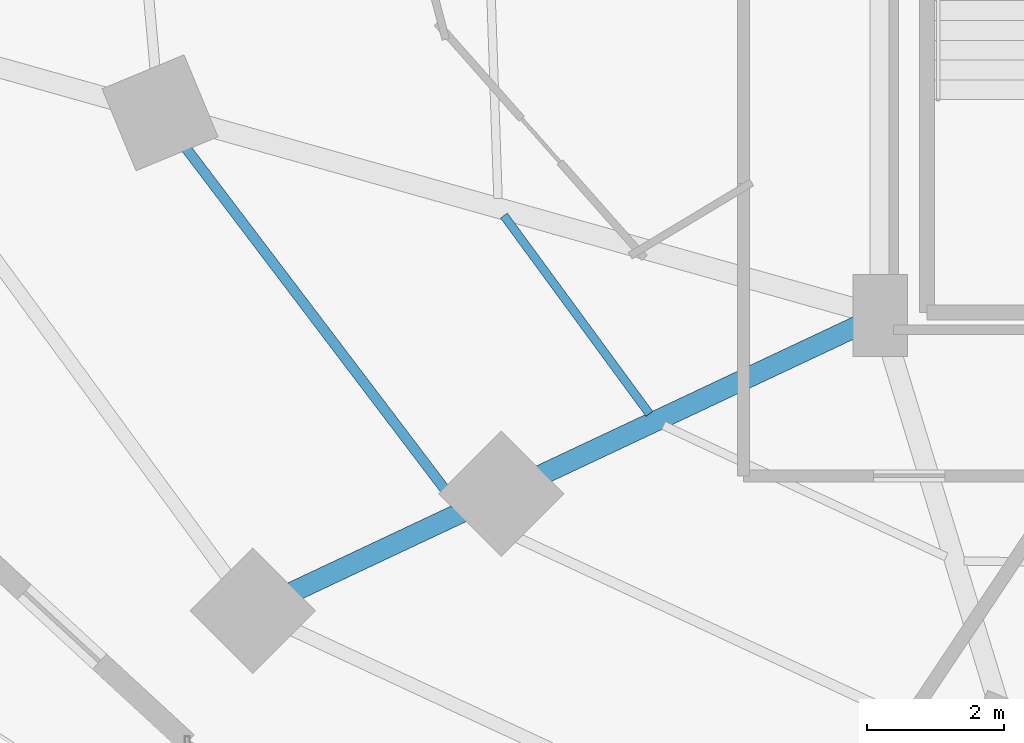
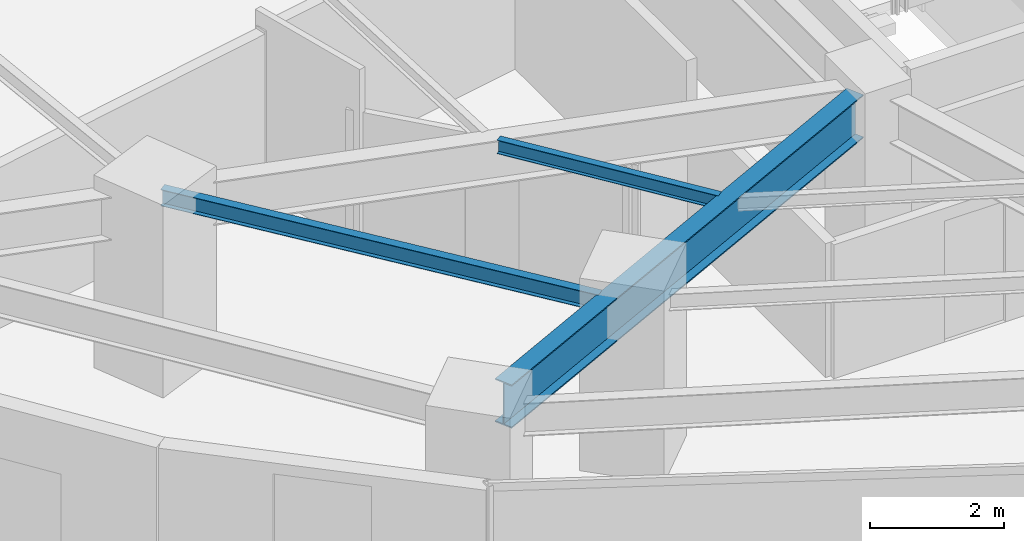
# One storey, part 4 of 30: 3 beams.
"""IFC4 building model written with IfcOpenShell, lengths in metres."""

import ifcopenshell
import ifcopenshell.guid

model = None  # the IFC model being written
_history = None  # IfcOwnerHistory: only IFC2X3 demands one
_inside = {}  # id of a spatial element -> (the spatial element, [elements in it])
_under = {}  # id of a project, library or spatial element -> (it, [spatial elements below it])
_declared = {}  # id of a project -> (the project, [libraries it declares])
_typed = {}  # id of a type object -> (the type object, [elements of that type])
_made_of = {}  # id of a material, layer set ... -> (it, [elements and type objects made of it])


def new_model(schema):
    """Start an empty IFC model of exactly this schema.

    Asked for "IFC4X3", IfcOpenShell would pick the latest addendum, in which some entities
    have other attributes; the version numbers below select the first issue.
    IFC2X3 requires an IfcOwnerHistory on every rooted entity: one is made here for all.
    """
    global model, _history
    if schema == "IFC4X3":
        model = ifcopenshell.file(schema_version=(4, 3, 0, 0))
    else:
        model = ifcopenshell.file(schema=schema)
    _inside.clear()
    _under.clear()
    _declared.clear()
    _typed.clear()
    _made_of.clear()
    _history = None
    if model.schema == "IFC2X3":
        org = make("IfcOrganization", Name="unknown")
        user = make(
            "IfcPersonAndOrganization",
            ThePerson=make("IfcPerson", FamilyName="unknown"),
            TheOrganization=org,
        )
        app = make(
            "IfcApplication",
            ApplicationDeveloper=org,
            Version="unknown",
            ApplicationFullName="unknown",
            ApplicationIdentifier="unknown",
        )
        _history = make(
            "IfcOwnerHistory",
            OwningUser=user,
            OwningApplication=app,
            ChangeAction="ADDED",
            CreationDate=0,
        )
    return model


def make(cls, **values):
    """One entity of the class cls with the attributes given. An attribute that is None is left unset."""
    return model.create_entity(
        cls, **{name: value for name, value in values.items() if value is not None}
    )


def rooted(cls, **values):
    """An entity with a GlobalId (a new one), such as an element, a storey or a relation."""
    return make(cls, GlobalId=ifcopenshell.guid.new(), OwnerHistory=_history, **values)


def si_unit(unit_type, name, prefix=None):
    """IfcSIUnit, for example si_unit("LENGTHUNIT", "METRE", prefix="MILLI")."""
    return make("IfcSIUnit", UnitType=unit_type, Prefix=prefix, Name=name)


def assignment(units):
    """IfcUnitAssignment: the units of a project."""
    return None if units is None else make("IfcUnitAssignment", Units=units)


def point(xyz):
    """IfcCartesianPoint."""
    return None if xyz is None else make("IfcCartesianPoint", Coordinates=xyz)


def direction(xyz):
    """IfcDirection."""
    return None if xyz is None else make("IfcDirection", DirectionRatios=xyz)


def frame(location, z_axis=None, x_axis=None):
    """IfcAxis2Placement3D, a coordinate frame: its origin and axes. An axis left out is left unset."""
    return make(
        "IfcAxis2Placement3D",
        Location=point(location),
        Axis=direction(z_axis),
        RefDirection=direction(x_axis),
    )


def frame_2d(location, x_axis=None):
    """IfcAxis2Placement2D, a coordinate frame in the plane: its origin and x axis."""
    return make(
        "IfcAxis2Placement2D", Location=point(location), RefDirection=direction(x_axis)
    )


def origin():
    """The frame at (0, 0, 0) with its axes left unset."""
    return frame((0.0, 0.0, 0.0))


def origin_2d():
    """The frame at (0, 0) in the plane with its x axis left unset."""
    return frame_2d((0.0, 0.0))


def place(relative_to, where):
    """IfcLocalPlacement: puts the frame where relative to a parent placement (None: the world)."""
    return make(
        "IfcLocalPlacement", PlacementRelTo=relative_to, RelativePlacement=where
    )


def context(
    kind, dimensions, precision=None, world=None, true_north=None, identifier=None
):
    """IfcGeometricRepresentationContext, for example the 3D "Model" context."""
    return make(
        "IfcGeometricRepresentationContext",
        ContextIdentifier=identifier,
        ContextType=kind,
        CoordinateSpaceDimension=dimensions,
        Precision=precision,
        WorldCoordinateSystem=world,
        TrueNorth=true_north,
    )


def subcontext(parent, identifier, kind, view, scale=None):
    """IfcGeometricRepresentationSubContext, for example "Body" below "Model"."""
    return make(
        "IfcGeometricRepresentationSubContext",
        ContextIdentifier=identifier,
        ContextType=kind,
        ParentContext=parent,
        TargetScale=scale,
        TargetView=view,
    )


def project(units=None, contexts=None):
    """IfcProject with its units and contexts."""
    return rooted(
        "IfcProject",
        Name="project",
        RepresentationContexts=contexts,
        UnitsInContext=assignment(units),
    )


def spatial(cls, under=None, at=None, **own):
    """A site, building, storey or space (cls), placed at a placement, below another one or the project."""
    s = rooted(cls, ObjectPlacement=at, **own)
    if under is not None:
        _under.setdefault(under.id(), (under, []))[1].append(s)
    return s


def profile(cls, at=None, kind="AREA", **sizes):
    """A parametric profile (cls). Its sizes go by their IFC names, for example OverallWidth=200.0."""
    return make(cls, ProfileType=kind, Position=at, **sizes)


def i_section(**sizes):
    """IfcIShapeProfileDef."""
    return profile("IfcIShapeProfileDef", **sizes)


def extrude(swept, where, along, depth):
    """IfcExtrudedAreaSolid: the profile swept, set in the frame where, extruded along a direction by depth."""
    return make(
        "IfcExtrudedAreaSolid",
        SweptArea=swept,
        Position=where,
        ExtrudedDirection=direction(along),
        Depth=depth,
    )


def shape(context_of_items, identifier, shape_type, items):
    """IfcShapeRepresentation: the items that make up one representation, for example the "Body"."""
    return make(
        "IfcShapeRepresentation",
        ContextOfItems=context_of_items,
        RepresentationIdentifier=identifier,
        RepresentationType=shape_type,
        Items=items,
    )


def material(Name=None, Category=None):
    """IfcMaterial."""
    return make("IfcMaterial", Name=Name, Category=Category)


def material_profile(
    of_material, cross_section, Name=None, Category=None, Priority=None
):
    """IfcMaterialProfile: a cross section and its material."""
    return make(
        "IfcMaterialProfile",
        Name=Name,
        Material=of_material,
        Profile=cross_section,
        Priority=Priority,
        Category=Category,
    )


def profile_set(profiles, Name=None, composite=None):
    """IfcMaterialProfileSet."""
    return make(
        "IfcMaterialProfileSet",
        Name=Name,
        MaterialProfiles=profiles,
        CompositeProfile=composite,
    )


def made_of(thing, what):
    """Note that an element or type object is made of a material, layer set ...; save() writes the relation."""
    if what is not None:
        _made_of.setdefault(what.id(), (what, []))[1].append(thing)
    return thing


def type_object(cls, material=None, **own):
    """A type object (cls), such as IfcWallType, which elements share."""
    return made_of(rooted(cls, **own), material)


def element(
    cls,
    number,
    at=None,
    inside=None,
    cuts=None,
    type_object=None,
    material=None,
    context=None,
    identifier="Body",
    shape_type=None,
    held_by="IfcProductDefinitionShape",
    body=None,
    shapes=None,
    **own,
):
    """One element of the class cls, such as IfcWall. Its Tag is "e" and its number.

    at: its placement. inside: the storey or other place that contains it. cuts: it is an
    opening in that element (IfcRelVoidsElement). A single representation is given by context,
    identifier, shape_type and body (its items); several are given by shapes. held_by: the class
    of the entity that holds the representations. save() writes the other relations.
    """
    e = rooted(cls, Tag="e%d" % number, ObjectPlacement=at, **own)
    if body is not None:
        shapes = [shape(context, identifier, shape_type, body)]
    if shapes is not None:
        e.Representation = make(held_by, Representations=shapes)
    if inside is not None:
        _inside.setdefault(inside.id(), (inside, []))[1].append(e)
    if cuts is not None:
        rooted(
            "IfcRelVoidsElement", RelatingBuildingElement=cuts, RelatedOpeningElement=e
        )
    if type_object is not None:
        _typed.setdefault(type_object.id(), (type_object, []))[1].append(e)
    return made_of(e, material)


def aggregate(whole, parts):
    """IfcRelAggregates: a whole, such as a stair, and the parts it consists of."""
    return rooted("IfcRelAggregates", RelatingObject=whole, RelatedObjects=parts)


def save(model, path):
    """Write the relations noted so far, then the file.

    IfcRelAggregates (storeys below a building ...), IfcRelContainedInSpatialStructure (elements
    in a storey), IfcRelDefinesByType, IfcRelAssociatesMaterial and IfcRelDeclares: one each for
    every whole, place, type object, material and project.
    """
    for whole, parts in _under.values():
        aggregate(whole, parts)
    for where, things in _inside.values():
        rooted(
            "IfcRelContainedInSpatialStructure",
            RelatedElements=things,
            RelatingStructure=where,
        )
    for kind, things in _typed.values():
        rooted("IfcRelDefinesByType", RelatedObjects=things, RelatingType=kind)
    for what, things in _made_of.values():
        rooted("IfcRelAssociatesMaterial", RelatedObjects=things, RelatingMaterial=what)
    for by, libraries in _declared.values():
        rooted("IfcRelDeclares", RelatingContext=by, RelatedDefinitions=libraries)
    model.write(path)


model = new_model("IFC4")

# Units and contexts
model_context = context("Model", 3, precision=1e-05, world=origin(), true_north=direction((0.0, 1.0)))
body_context = subcontext(model_context, "Body", "Model", "MODEL_VIEW")
ifc_project = project(units=[si_unit("LENGTHUNIT", "METRE"), si_unit("AREAUNIT", "SQUARE_METRE"), si_unit("VOLUMEUNIT", "CUBIC_METRE"), si_unit("PLANEANGLEUNIT", "RADIAN"), si_unit("MASSUNIT", "GRAM", prefix="KILO")], contexts=[model_context])

# Site, building, storey
site_placement = place(None, origin())
site = spatial("IfcSite", under=ifc_project, at=site_placement, CompositionType="ELEMENT")
building_placement = place(site_placement, origin())
building = spatial("IfcBuilding", under=site, at=building_placement, Name="Vorneva Point Tower", CompositionType="ELEMENT")
storey_placement = place(building_placement, frame((0.0, 0.0, 41.5)))
storey = spatial("IfcBuildingStorey", under=building, at=storey_placement, Name="L10", CompositionType="ELEMENT", Elevation=41.5)

# Beams
ifc_material = material(Name="Steel S355", Category="steel")
ifc_material_profile_1 = material_profile(ifc_material, i_section(OverallWidth=0.300048828125, OverallDepth=0.7880859375, WebThickness=0.014404296875, FlangeThickness=0.02197265625, at=origin_2d()), Name="80Sh1")
ifc_profile_set_1 = profile_set([ifc_material_profile_1], Name="Steel S355")
beam_type_1 = type_object("IfcBeamType", Name="BM-GRD-80Sh1", PredefinedType="USERDEFINED", material=ifc_profile_set_1)
beam_1_placement = place(storey_placement, frame((18.638427734375, 12.39599609375, 2.845947265625), z_axis=(0.904758409006, 0.425925135831, 0.0), x_axis=(-0.425925135831, 0.904758409006, 0.0)))
element("IfcBeam", 1, at=beam_1_placement, inside=storey, type_object=beam_type_1, Name="L10 Radial Primary Girder 11", ObjectType="GIRDER", PredefinedType="USERDEFINED", context=body_context, shape_type="SweptSolid", body=[
    extrude(i_section(OverallWidth=0.300048828125, OverallDepth=0.7880859375, WebThickness=0.014404296875, FlangeThickness=0.02197265625, at=origin_2d()), origin(), (0.0, 0.0, 1.0), 9.177978515625),
])
ifc_material_profile_2 = material_profile(ifc_material, i_section(OverallWidth=0.1240234375, OverallDepth=0.248046875, WebThickness=0.0048828125, FlangeThickness=0.008056640625, at=origin_2d()), Name="25B1")
ifc_profile_set_2 = profile_set([ifc_material_profile_2], Name="Steel S355")
beam_type_2 = type_object("IfcBeamType", Name="BM-JST-25B1", PredefinedType="JOIST", material=ifc_profile_set_2)
beam_2_placement = place(storey_placement, frame((21.740966796875, 17.912109375, 3.115966796875), z_axis=(0.591625231852, -0.806213113907, 0.0), x_axis=(0.806213113907, 0.591625231852, 0.0)))
element("IfcBeam", 2, at=beam_2_placement, inside=storey, type_object=beam_type_2, Name="L10 Secondary Floor Beam 2.10", PredefinedType="JOIST", context=body_context, shape_type="SweptSolid", body=[
    extrude(i_section(OverallWidth=0.1240234375, OverallDepth=0.248046875, WebThickness=0.0048828125, FlangeThickness=0.008056640625, at=origin_2d()), origin(), (0.0, 0.0, 1.0), 3.600830078125),
])
ifc_material_profile_3 = material_profile(ifc_material, i_section(OverallWidth=0.14892578125, OverallDepth=0.298095703125, WebThickness=0.005615234375, FlangeThickness=0.008056640625, at=origin_2d()), Name="30B1")
ifc_profile_set_3 = profile_set([ifc_material_profile_3], Name="Steel S355")
beam_type_3 = type_object("IfcBeamType", Name="BM-JST-30B1", PredefinedType="JOIST", material=ifc_profile_set_3)
beam_3_placement = place(storey_placement, frame((16.771728515625, 19.3125, 3.091064453125), z_axis=(0.604453726365, -0.79664025299, 0.0), x_axis=(0.79664025299, 0.604453726365, 0.0)))
element("IfcBeam", 3, at=beam_3_placement, inside=storey, type_object=beam_type_3, Name="L10 Secondary Floor Beam 1.10", PredefinedType="JOIST", context=body_context, shape_type="SweptSolid", body=[
    extrude(i_section(OverallWidth=0.14892578125, OverallDepth=0.298095703125, WebThickness=0.005615234375, FlangeThickness=0.008056640625, at=origin_2d()), origin(), (0.0, 0.0, 1.0), 7.072021484375),
])

save(model, "model.ifc")
